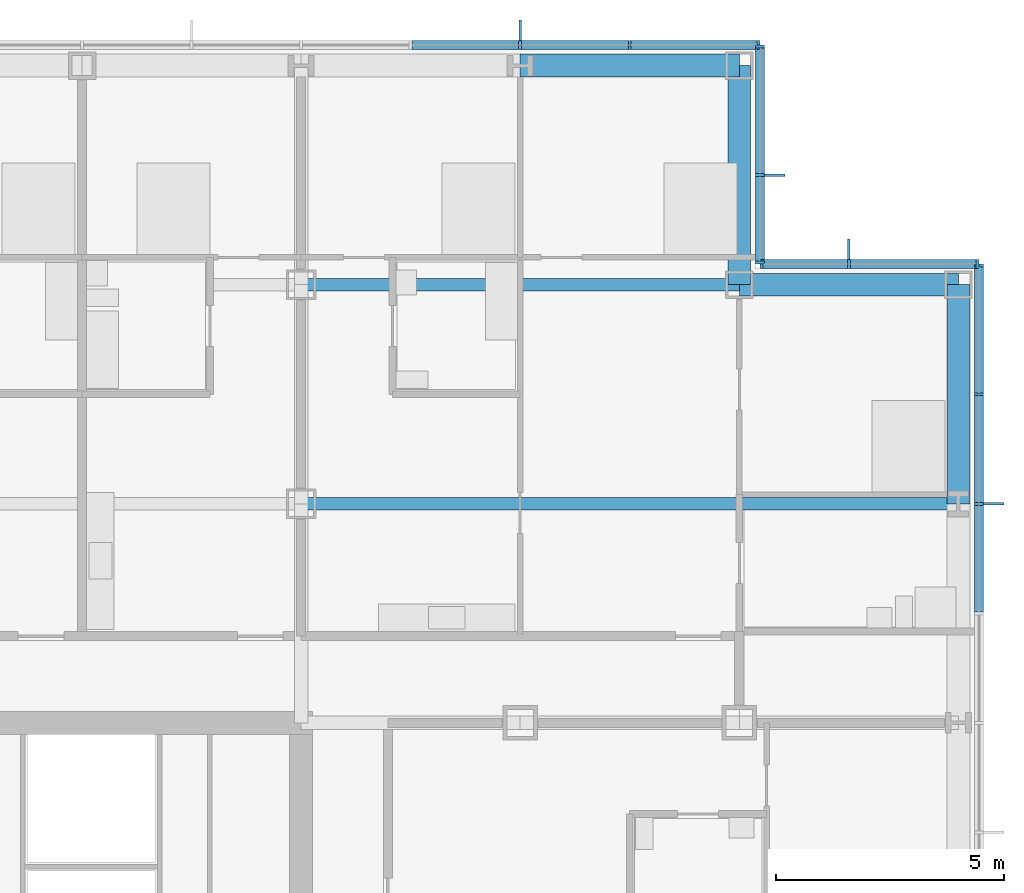
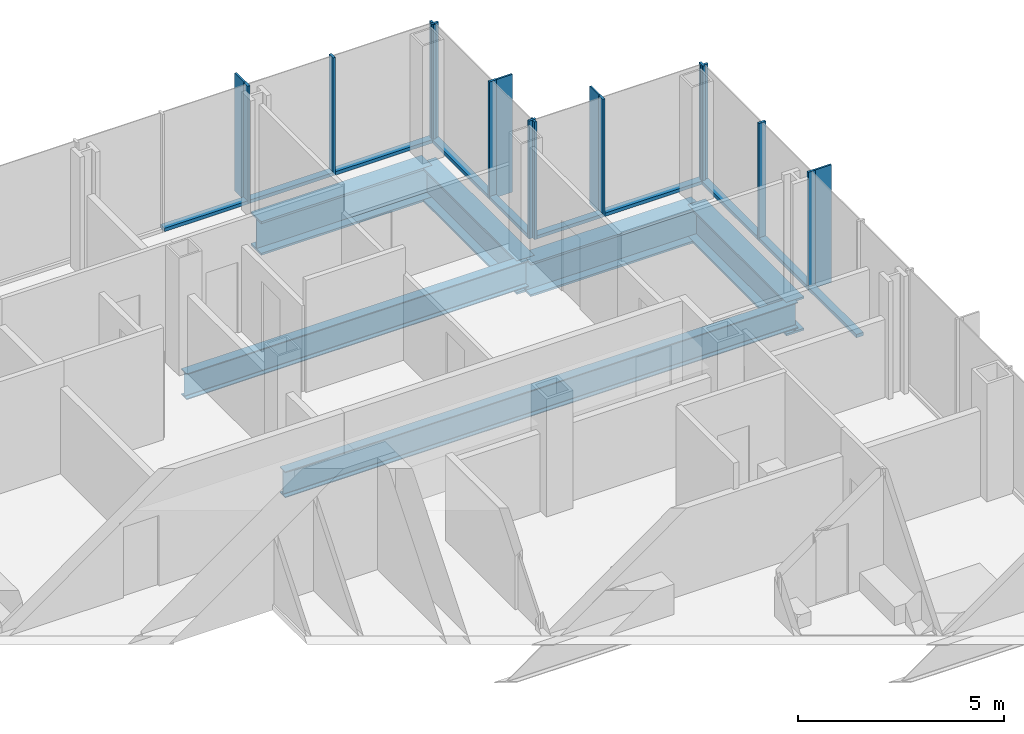
# One storey, part 11 of 21: 26 members, 6 beams, 4 elements without a shape of their own.
"""IFC4 building model written with IfcOpenShell, lengths in metres."""

from ifc_helpers import new_model, si_unit, direction, frame, origin, origin_2d, place, context, subcontext, project, spatial, rectangle, i_section, extrude, material, material_profile, profile_set, type_object, element, aggregate, save


model = new_model("IFC4")

# Units and contexts
model_context = context("Model", 3, precision=1e-05, world=origin(), true_north=direction((0.0, 1.0)))
body_context = subcontext(model_context, "Body", "Model", "MODEL_VIEW")
ifc_project = project(units=[si_unit("LENGTHUNIT", "METRE"), si_unit("AREAUNIT", "SQUARE_METRE"), si_unit("VOLUMEUNIT", "CUBIC_METRE"), si_unit("PLANEANGLEUNIT", "RADIAN"), si_unit("MASSUNIT", "GRAM", prefix="KILO")], contexts=[model_context])

# Site, building, storey
site_placement = place(None, origin())
site = spatial("IfcSite", under=ifc_project, at=site_placement, CompositionType="ELEMENT")
building_placement = place(site_placement, origin())
building = spatial("IfcBuilding", under=site, at=building_placement, Name="Kvirike Care Tower", CompositionType="ELEMENT")
storey_placement = place(building_placement, frame((0.0, 0.0, 51.5)))
storey = spatial("IfcBuildingStorey", under=building, at=storey_placement, Name="L13", CompositionType="ELEMENT", Elevation=51.5)

# Curtain wall, member
ifc_material_1 = material(Name="Anodised aluminium stick system", Category="aluminium")
curtain_wall_type = type_object("IfcCurtainWallType", Name="CW-A STICK CURTAIN WALL", PredefinedType="NOTDEFINED", material=ifc_material_1)
curtain_wall_1_placement = place(storey_placement, origin())
curtain_wall_1 = element("IfcCurtainWall", 1, at=curtain_wall_1_placement, inside=storey, type_object=curtain_wall_type, Name="Curtain wall L13 face 7", PredefinedType="NOTDEFINED")
ifc_material_2 = material(Name="Bronze anodised aluminium fin", Category="aluminium")
ifc_material_profile_1 = material_profile(ifc_material_2, rectangle(XDim=0.050048828125, YDim=0.449951171875, at=origin_2d()), Name="BRONZE FIN 450")
ifc_profile_set_1 = profile_set([ifc_material_profile_1], Name="Bronze anodised aluminium fin")
member_type_1 = type_object("IfcMemberType", Name="BRONZE FIN 450", PredefinedType="USERDEFINED", material=ifc_profile_set_1)
member_1_placement = place(storey_placement, frame((43.97509765625, 48.0, 0.0), z_axis=(0.0, 0.0, 1.0), x_axis=(0.0, 1.0, 0.0)))
member_1 = element("IfcMember", 2, at=member_1_placement, type_object=member_type_1, Name="Bronze fin L13 face 7.13", ObjectType="FIN", PredefinedType="USERDEFINED", context=body_context, shape_type="SweptSolid", body=[
    extrude(rectangle(XDim=0.050048828125, YDim=0.449951171875, at=origin_2d()), origin(), (0.0, 0.0, 1.0), 3.5),
])

curtain_wall_2_placement = place(storey_placement, origin())
curtain_wall_2 = element("IfcCurtainWall", 3, at=curtain_wall_2_placement, inside=storey, type_object=curtain_wall_type, Name="Curtain wall L13 face 8", PredefinedType="NOTDEFINED")
member_2_placement = place(storey_placement, frame((40.800048828125, 53.574951171875, 0.0), z_axis=(0.0, 0.0, 1.0), x_axis=(-1.0, 0.0, 0.0)))
member_2 = element("IfcMember", 4, at=member_2_placement, type_object=member_type_1, Name="Bronze fin L13 face 8.2", ObjectType="FIN", PredefinedType="USERDEFINED", context=body_context, shape_type="SweptSolid", body=[
    extrude(rectangle(XDim=0.050048828125, YDim=0.449951171875, at=origin_2d()), origin(), (0.0, 0.0, 1.0), 3.5),
])

curtain_wall_3_placement = place(storey_placement, origin())
curtain_wall_3 = element("IfcCurtainWall", 5, at=curtain_wall_3_placement, inside=storey, type_object=curtain_wall_type, Name="Curtain wall L13 face 9", PredefinedType="NOTDEFINED")
member_3_placement = place(storey_placement, frame((39.175048828125, 55.199951171875, 0.0), z_axis=(0.0, 0.0, 1.0), x_axis=(0.0, 1.0, 0.0)))
member_3 = element("IfcMember", 6, at=member_3_placement, type_object=member_type_1, Name="Bronze fin L13 face 9.2", ObjectType="FIN", PredefinedType="USERDEFINED", context=body_context, shape_type="SweptSolid", body=[
    extrude(rectangle(XDim=0.050048828125, YDim=0.449951171875, at=origin_2d()), origin(), (0.0, 0.0, 1.0), 3.5),
])

curtain_wall_4_placement = place(storey_placement, origin())
curtain_wall_4 = element("IfcCurtainWall", 7, at=curtain_wall_4_placement, inside=storey, type_object=curtain_wall_type, Name="Curtain wall L13 face 10", PredefinedType="NOTDEFINED")
member_4_placement = place(storey_placement, frame((33.60009765625, 58.375, 0.0), z_axis=(0.0, 0.0, 1.0), x_axis=(-1.0, 0.0, 0.0)))
member_4 = element("IfcMember", 8, at=member_4_placement, type_object=member_type_1, Name="Bronze fin L13 face 10.3", ObjectType="FIN", PredefinedType="USERDEFINED", context=body_context, shape_type="SweptSolid", body=[
    extrude(rectangle(XDim=0.050048828125, YDim=0.449951171875, at=origin_2d()), origin(), (0.0, 0.0, 1.0), 3.5),
])

# Member
ifc_material_3 = material(Name="Bronze anodised aluminium mullion", Category="aluminium")
ifc_material_profile_2 = material_profile(ifc_material_3, rectangle(XDim=0.06494140625, YDim=0.199951171875, at=origin_2d()), Name="CW-A MULLION 65x200")
ifc_profile_set_2 = profile_set([ifc_material_profile_2], Name="Bronze anodised aluminium mullion")
member_type_2 = type_object("IfcMemberType", Name="CW-A MULLION 65x200", PredefinedType="MULLION", material=ifc_profile_set_2)
member_5_placement = place(storey_placement, frame((43.64990234375, 48.0, 0.0), z_axis=(0.0, 0.0, 1.0), x_axis=(0.0, 1.0, 0.0)))
member_5 = element("IfcMember", 9, at=member_5_placement, type_object=member_type_2, Name="CW-A mullion L13 face 7.13", PredefinedType="MULLION", context=body_context, shape_type="SweptSolid", body=[
    extrude(rectangle(XDim=0.06494140625, YDim=0.199951171875, at=origin_2d()), origin(), (0.0, 0.0, 1.0), 3.5),
])

member_6_placement = place(storey_placement, frame((43.64990234375, 50.39990234375, 0.0), z_axis=(0.0, 0.0, 1.0), x_axis=(0.0, 1.0, 0.0)))
member_6 = element("IfcMember", 10, at=member_6_placement, type_object=member_type_2, Name="CW-A mullion L13 face 7.14", PredefinedType="MULLION", context=body_context, shape_type="SweptSolid", body=[
    extrude(rectangle(XDim=0.06494140625, YDim=0.199951171875, at=origin_2d()), origin(), (0.0, 0.0, 1.0), 3.5),
])

member_7_placement = place(storey_placement, frame((43.64990234375, 53.217529296875, 0.0), z_axis=(0.0, 0.0, 1.0), x_axis=(0.0, 1.0, 0.0)))
member_7 = element("IfcMember", 11, at=member_7_placement, type_object=member_type_2, Name="CW-A mullion L13 face 7.15", PredefinedType="MULLION", context=body_context, shape_type="SweptSolid", body=[
    extrude(rectangle(XDim=0.06494140625, YDim=0.199951171875, at=origin_2d()), origin(), (0.0, 0.0, 1.0), 3.5),
])

member_8_placement = place(storey_placement, frame((43.617431640625, 53.25, 0.0), z_axis=(0.0, 0.0, 1.0), x_axis=(-1.0, 0.0, 0.0)))
member_8 = element("IfcMember", 12, at=member_8_placement, type_object=member_type_2, Name="CW-A mullion L13 face 8.1", PredefinedType="MULLION", context=body_context, shape_type="SweptSolid", body=[
    extrude(rectangle(XDim=0.06494140625, YDim=0.199951171875, at=origin_2d()), origin(), (0.0, 0.0, 1.0), 3.5),
])

member_9_placement = place(storey_placement, frame((40.800048828125, 53.25, 0.0), z_axis=(0.0, 0.0, 1.0), x_axis=(-1.0, 0.0, 0.0)))
member_9 = element("IfcMember", 13, at=member_9_placement, type_object=member_type_2, Name="CW-A mullion L13 face 8.2", PredefinedType="MULLION", context=body_context, shape_type="SweptSolid", body=[
    extrude(rectangle(XDim=0.06494140625, YDim=0.199951171875, at=origin_2d()), origin(), (0.0, 0.0, 1.0), 3.5),
])

member_10_placement = place(storey_placement, frame((38.882568359375, 53.25, 0.0), z_axis=(0.0, 0.0, 1.0), x_axis=(-1.0, 0.0, 0.0)))
member_10 = element("IfcMember", 14, at=member_10_placement, type_object=member_type_2, Name="CW-A mullion L13 face 8.3", PredefinedType="MULLION", context=body_context, shape_type="SweptSolid", body=[
    extrude(rectangle(XDim=0.06494140625, YDim=0.199951171875, at=origin_2d()), origin(), (0.0, 0.0, 1.0), 3.5),
])

member_11_placement = place(storey_placement, frame((38.85009765625, 53.282470703125, 0.0), z_axis=(0.0, 0.0, 1.0), x_axis=(0.0, 1.0, 0.0)))
member_11 = element("IfcMember", 15, at=member_11_placement, type_object=member_type_2, Name="CW-A mullion L13 face 9.1", PredefinedType="MULLION", context=body_context, shape_type="SweptSolid", body=[
    extrude(rectangle(XDim=0.06494140625, YDim=0.199951171875, at=origin_2d()), origin(), (0.0, 0.0, 1.0), 3.5),
])

member_12_placement = place(storey_placement, frame((38.85009765625, 55.199951171875, 0.0), z_axis=(0.0, 0.0, 1.0), x_axis=(0.0, 1.0, 0.0)))
member_12 = element("IfcMember", 16, at=member_12_placement, type_object=member_type_2, Name="CW-A mullion L13 face 9.2", PredefinedType="MULLION", context=body_context, shape_type="SweptSolid", body=[
    extrude(rectangle(XDim=0.06494140625, YDim=0.199951171875, at=origin_2d()), origin(), (0.0, 0.0, 1.0), 3.5),
])

member_13_placement = place(storey_placement, frame((38.85009765625, 58.017578125, 0.0), z_axis=(0.0, 0.0, 1.0), x_axis=(0.0, 1.0, 0.0)))
member_13 = element("IfcMember", 17, at=member_13_placement, type_object=member_type_2, Name="CW-A mullion L13 face 9.3", PredefinedType="MULLION", context=body_context, shape_type="SweptSolid", body=[
    extrude(rectangle(XDim=0.06494140625, YDim=0.199951171875, at=origin_2d()), origin(), (0.0, 0.0, 1.0), 3.5),
])

member_14_placement = place(storey_placement, frame((38.8173828125, 58.050048828125, 0.0), z_axis=(0.0, 0.0, 1.0), x_axis=(-1.0, 0.0, 0.0)))
member_14 = element("IfcMember", 18, at=member_14_placement, type_object=member_type_2, Name="CW-A mullion L13 face 10.1", PredefinedType="MULLION", context=body_context, shape_type="SweptSolid", body=[
    extrude(rectangle(XDim=0.06494140625, YDim=0.199951171875, at=origin_2d()), origin(), (0.0, 0.0, 1.0), 3.5),
])

member_15_placement = place(storey_placement, frame((36.0, 58.050048828125, 0.0), z_axis=(0.0, 0.0, 1.0), x_axis=(-1.0, 0.0, 0.0)))
member_15 = element("IfcMember", 19, at=member_15_placement, type_object=member_type_2, Name="CW-A mullion L13 face 10.2", PredefinedType="MULLION", context=body_context, shape_type="SweptSolid", body=[
    extrude(rectangle(XDim=0.06494140625, YDim=0.199951171875, at=origin_2d()), origin(), (0.0, 0.0, 1.0), 3.5),
])

member_16_placement = place(storey_placement, frame((33.60009765625, 58.050048828125, 0.0), z_axis=(0.0, 0.0, 1.0), x_axis=(-1.0, 0.0, 0.0)))
member_16 = element("IfcMember", 20, at=member_16_placement, type_object=member_type_2, Name="CW-A mullion L13 face 10.3", PredefinedType="MULLION", context=body_context, shape_type="SweptSolid", body=[
    extrude(rectangle(XDim=0.06494140625, YDim=0.199951171875, at=origin_2d()), origin(), (0.0, 0.0, 1.0), 3.5),
])

ifc_material_4 = material(Name="Bronze anodised aluminium transom", Category="aluminium")
ifc_material_profile_3 = material_profile(ifc_material_4, rectangle(XDim=0.199951171875, YDim=0.10009765625, at=origin_2d()), Name="CW-A TRANSOM 200x100")
ifc_profile_set_3 = profile_set([ifc_material_profile_3], Name="Bronze anodised aluminium transom")
member_type_3 = type_object("IfcMemberType", Name="CW-A TRANSOM 200x100", PredefinedType="USERDEFINED", material=ifc_profile_set_3)
member_17_placement = place(storey_placement, frame((43.64990234375, 45.632568359375, 0.050048828125), z_axis=(0.0, 1.0, 0.0), x_axis=(-1.0, 0.0, 0.0)))
member_17 = element("IfcMember", 21, at=member_17_placement, type_object=member_type_3, Name="CW-A sill transom L13 face 7.12", ObjectType="TRANSOM", PredefinedType="USERDEFINED", context=body_context, shape_type="SweptSolid", body=[
    extrude(rectangle(XDim=0.199951171875, YDim=0.10009765625, at=origin_2d()), origin(), (0.0, 0.0, 1.0), 2.3349609375),
])

member_18_placement = place(storey_placement, frame((43.64990234375, 48.032470703125, 0.050048828125), z_axis=(0.0, 1.0, 0.0), x_axis=(-1.0, 0.0, 0.0)))
member_18 = element("IfcMember", 22, at=member_18_placement, type_object=member_type_3, Name="CW-A sill transom L13 face 7.13", ObjectType="TRANSOM", PredefinedType="USERDEFINED", context=body_context, shape_type="SweptSolid", body=[
    extrude(rectangle(XDim=0.199951171875, YDim=0.10009765625, at=origin_2d()), origin(), (0.0, 0.0, 1.0), 2.3349609375),
])

member_19_placement = place(storey_placement, frame((43.64990234375, 50.4326171875, 0.050048828125), z_axis=(0.0, 1.0, 0.0), x_axis=(-1.0, 0.0, 0.0)))
member_19 = element("IfcMember", 23, at=member_19_placement, type_object=member_type_3, Name="CW-A sill transom L13 face 7.14", ObjectType="TRANSOM", PredefinedType="USERDEFINED", context=body_context, shape_type="SweptSolid", body=[
    extrude(rectangle(XDim=0.199951171875, YDim=0.10009765625, at=origin_2d()), origin(), (0.0, 0.0, 1.0), 2.75244140625),
])

aggregate(curtain_wall_1, [member_5, member_1, member_6, member_7, member_17, member_18, member_19])

member_20_placement = place(storey_placement, frame((43.5849609375, 53.25, 0.050048828125), z_axis=(-1.0, 0.0, 0.0), x_axis=(0.0, -1.0, 0.0)))
member_20 = element("IfcMember", 24, at=member_20_placement, type_object=member_type_3, Name="CW-A sill transom L13 face 8.1", ObjectType="TRANSOM", PredefinedType="USERDEFINED", context=body_context, shape_type="SweptSolid", body=[
    extrude(rectangle(XDim=0.199951171875, YDim=0.10009765625, at=origin_2d()), origin(), (0.0, 0.0, 1.0), 2.75244140625),
])

member_21_placement = place(storey_placement, frame((40.767578125, 53.25, 0.050048828125), z_axis=(-1.0, 0.0, 0.0), x_axis=(0.0, -1.0, 0.0)))
member_21 = element("IfcMember", 25, at=member_21_placement, type_object=member_type_3, Name="CW-A sill transom L13 face 8.2", ObjectType="TRANSOM", PredefinedType="USERDEFINED", context=body_context, shape_type="SweptSolid", body=[
    extrude(rectangle(XDim=0.199951171875, YDim=0.10009765625, at=origin_2d()), origin(), (0.0, 0.0, 1.0), 1.8525390625),
])

aggregate(curtain_wall_2, [member_8, member_9, member_2, member_10, member_20, member_21])

member_22_placement = place(storey_placement, frame((38.85009765625, 53.31494140625, 0.050048828125), z_axis=(0.0, 1.0, 0.0), x_axis=(-1.0, 0.0, 0.0)))
member_22 = element("IfcMember", 26, at=member_22_placement, type_object=member_type_3, Name="CW-A sill transom L13 face 9.1", ObjectType="TRANSOM", PredefinedType="USERDEFINED", context=body_context, shape_type="SweptSolid", body=[
    extrude(rectangle(XDim=0.199951171875, YDim=0.10009765625, at=origin_2d()), origin(), (0.0, 0.0, 1.0), 1.8525390625),
])

member_23_placement = place(storey_placement, frame((38.85009765625, 55.232421875, 0.050048828125), z_axis=(0.0, 1.0, 0.0), x_axis=(-1.0, 0.0, 0.0)))
member_23 = element("IfcMember", 27, at=member_23_placement, type_object=member_type_3, Name="CW-A sill transom L13 face 9.2", ObjectType="TRANSOM", PredefinedType="USERDEFINED", context=body_context, shape_type="SweptSolid", body=[
    extrude(rectangle(XDim=0.199951171875, YDim=0.10009765625, at=origin_2d()), origin(), (0.0, 0.0, 1.0), 2.752685546875),
])

aggregate(curtain_wall_3, [member_11, member_12, member_3, member_13, member_22, member_23])

member_24_placement = place(storey_placement, frame((38.784912109375, 58.050048828125, 0.050048828125), z_axis=(-1.0, 0.0, 0.0), x_axis=(0.0, -1.0, 0.0)))
member_24 = element("IfcMember", 28, at=member_24_placement, type_object=member_type_3, Name="CW-A sill transom L13 face 10.1", ObjectType="TRANSOM", PredefinedType="USERDEFINED", context=body_context, shape_type="SweptSolid", body=[
    extrude(rectangle(XDim=0.199951171875, YDim=0.10009765625, at=origin_2d()), origin(), (0.0, 0.0, 1.0), 2.75244140625),
])

member_25_placement = place(storey_placement, frame((35.967529296875, 58.050048828125, 0.050048828125), z_axis=(-1.0, 0.0, 0.0), x_axis=(0.0, -1.0, 0.0)))
member_25 = element("IfcMember", 29, at=member_25_placement, type_object=member_type_3, Name="CW-A sill transom L13 face 10.2", ObjectType="TRANSOM", PredefinedType="USERDEFINED", context=body_context, shape_type="SweptSolid", body=[
    extrude(rectangle(XDim=0.199951171875, YDim=0.10009765625, at=origin_2d()), origin(), (0.0, 0.0, 1.0), 2.3349609375),
])

member_26_placement = place(storey_placement, frame((33.5673828125, 58.050048828125, 0.050048828125), z_axis=(-1.0, 0.0, 0.0), x_axis=(0.0, -1.0, 0.0)))
member_26 = element("IfcMember", 30, at=member_26_placement, type_object=member_type_3, Name="CW-A sill transom L13 face 10.3", ObjectType="TRANSOM", PredefinedType="USERDEFINED", context=body_context, shape_type="SweptSolid", body=[
    extrude(rectangle(XDim=0.199951171875, YDim=0.10009765625, at=origin_2d()), origin(), (0.0, 0.0, 1.0), 2.3349609375),
])

aggregate(curtain_wall_4, [member_14, member_15, member_16, member_4, member_24, member_25, member_26])

# Beams
ifc_material_5 = material(Name="Steel S355", Category="steel")
ifc_material_profile_4 = material_profile(ifc_material_5, i_section(OverallWidth=0.26806640625, OverallDepth=0.77001953125, WebThickness=0.015625, FlangeThickness=0.025390625, FilletRadius=0.01708984375, at=origin_2d()), Name="IPE 750x196")
ifc_profile_set_4 = profile_set([ifc_material_profile_4], Name="Steel S355")
beam_type_1 = type_object("IfcBeamType", Name="FLOOR BEAM IPE 750x196", PredefinedType="BEAM", material=ifc_profile_set_4)
beam_1_placement = place(storey_placement, frame((28.800048828125, 48.0, -0.554931640625), z_axis=(1.0, 0.0, 0.0), x_axis=(0.0, 1.0, 0.0)))
element("IfcBeam", 31, at=beam_1_placement, inside=storey, type_object=beam_type_1, Name="Floor Beam L9-L12 L13", PredefinedType="BEAM", context=body_context, shape_type="SweptSolid", body=[
    extrude(i_section(OverallWidth=0.26806640625, OverallDepth=0.77001953125, WebThickness=0.015625, FlangeThickness=0.025390625, FilletRadius=0.01708984375, at=origin_2d()), origin(), (0.0, 0.0, 1.0), 14.39990234375),
])
beam_2_placement = place(storey_placement, frame((28.800048828125, 52.800048828125, -0.554931640625), z_axis=(1.0, 0.0, 0.0), x_axis=(0.0, 1.0, 0.0)))
element("IfcBeam", 32, at=beam_2_placement, inside=storey, type_object=beam_type_1, Name="Floor Beam M9-M11 L13", PredefinedType="BEAM", context=body_context, shape_type="SweptSolid", body=[
    extrude(i_section(OverallWidth=0.26806640625, OverallDepth=0.77001953125, WebThickness=0.015625, FlangeThickness=0.025390625, FilletRadius=0.01708984375, at=origin_2d()), origin(), (0.0, 0.0, 1.0), 9.599853515625),
])
ifc_material_6 = material(Name="Steel S355", Category="steel")
ifc_material_profile_5 = material_profile(ifc_material_6, i_section(OverallWidth=0.5, OverallDepth=1.0, WebThickness=0.030029296875, FlangeThickness=0.06005859375, at=origin_2d()), Name="PG 1000x500x30x60")
ifc_profile_set_5 = profile_set([ifc_material_profile_5], Name="Steel S355")
beam_type_2 = type_object("IfcBeamType", Name="SPANDREL PG 1000x500x30x60", PredefinedType="SPANDREL", material=ifc_profile_set_5)
beam_3_placement = place(storey_placement, frame((38.39990234375, 52.800048828125, -0.669921875), z_axis=(1.0, 0.0, 0.0), x_axis=(0.0, 1.0, 0.0)))
element("IfcBeam", 33, at=beam_3_placement, inside=storey, type_object=beam_type_2, Name="Spandrel M11-M12 L13", PredefinedType="SPANDREL", context=body_context, shape_type="SweptSolid", body=[
    extrude(i_section(OverallWidth=0.5, OverallDepth=1.0, WebThickness=0.030029296875, FlangeThickness=0.06005859375, at=origin_2d()), origin(), (0.0, 0.0, 1.0), 4.800048828125),
])
beam_4_placement = place(storey_placement, frame((33.60009765625, 57.60009765625, -0.669921875), z_axis=(1.0, 0.0, 0.0), x_axis=(0.0, 1.0, 0.0)))
element("IfcBeam", 34, at=beam_4_placement, inside=storey, type_object=beam_type_2, Name="Spandrel N10-N11 L13", PredefinedType="SPANDREL", context=body_context, shape_type="SweptSolid", body=[
    extrude(i_section(OverallWidth=0.5, OverallDepth=1.0, WebThickness=0.030029296875, FlangeThickness=0.06005859375, at=origin_2d()), origin(), (0.0, 0.0, 1.0), 4.7998046875),
])
for number, where, z_axis, x_axis, name in (
    (35, (38.39990234375, 52.800048828125, -0.669921875), (0.0, 1.0, 0.0), (-1.0, 0.0, 0.0), "Spandrel M11-N11 L13"),
    (36, (43.199951171875, 48.0, -0.669921875), (0.0, 1.0, 0.0), (-1.0, 0.0, 0.0), "Spandrel L12-M12 L13"),
):
    element("IfcBeam", number, at=place(storey_placement, frame(where, z_axis=z_axis, x_axis=x_axis)), inside=storey, type_object=beam_type_2, Name=name, PredefinedType="SPANDREL", context=body_context, shape_type="SweptSolid", body=[
        extrude(i_section(OverallWidth=0.5, OverallDepth=1.0, WebThickness=0.030029296875, FlangeThickness=0.06005859375, at=origin_2d()), origin(), (0.0, 0.0, 1.0), 4.800048828125),
    ])

save(model, "model.ifc")
